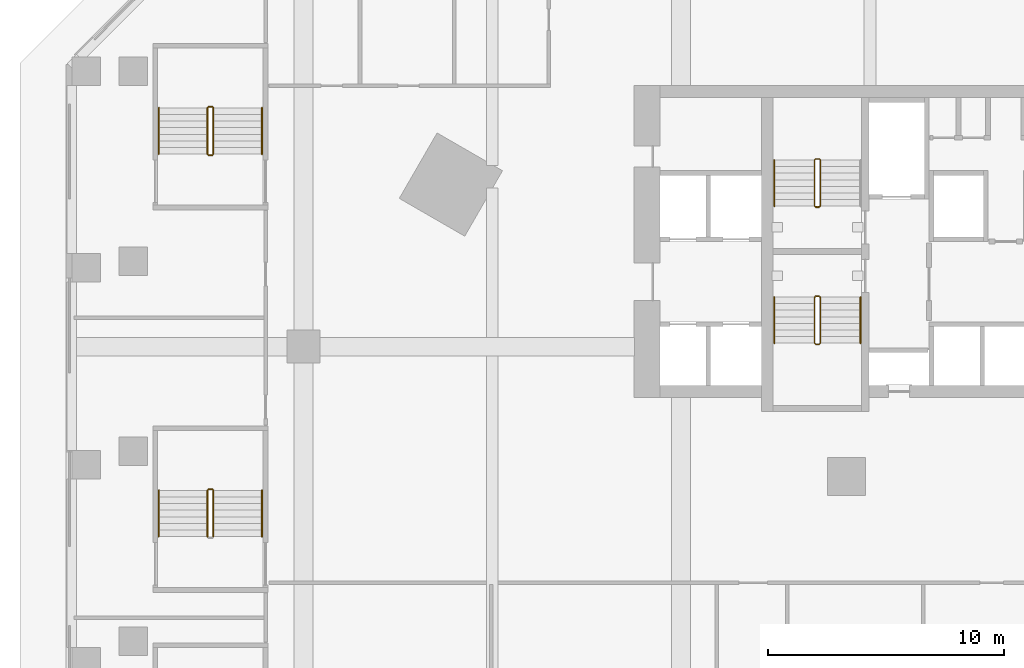
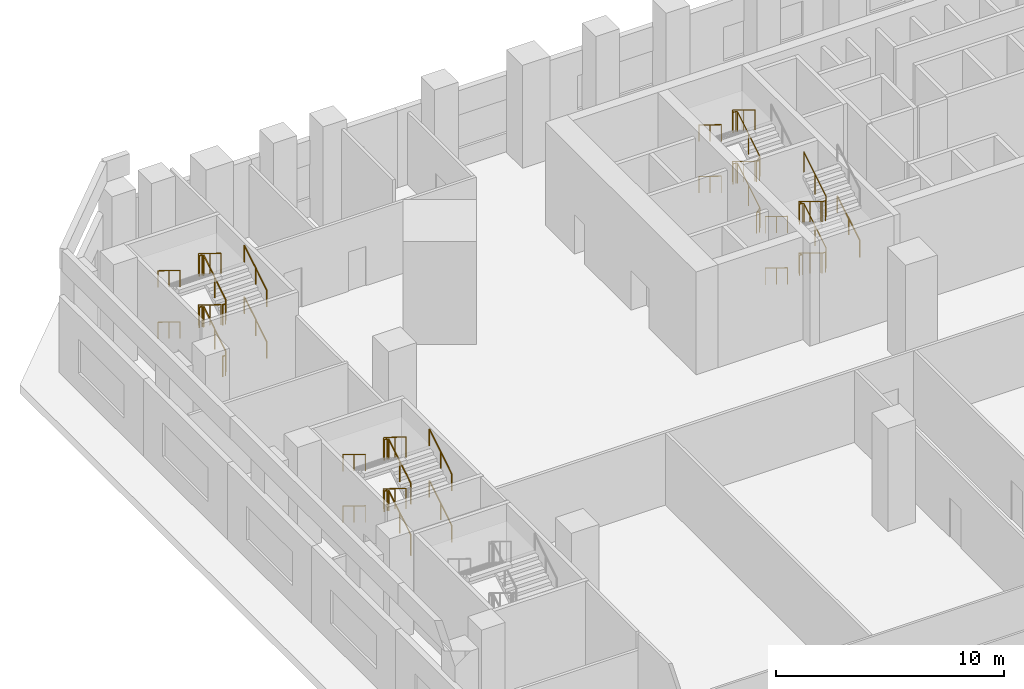
# One storey, part 19 of 22: 29 railings.
"""IFC4 building model written with IfcOpenShell, lengths in metres."""

import ifcopenshell
import ifcopenshell.guid

model = None  # the IFC model being written
_history = None  # IfcOwnerHistory: only IFC2X3 demands one
_inside = {}  # id of a spatial element -> (the spatial element, [elements in it])
_under = {}  # id of a project, library or spatial element -> (it, [spatial elements below it])
_declared = {}  # id of a project -> (the project, [libraries it declares])
_typed = {}  # id of a type object -> (the type object, [elements of that type])
_made_of = {}  # id of a material, layer set ... -> (it, [elements and type objects made of it])


def new_model(schema):
    """Start an empty IFC model of exactly this schema.

    Asked for "IFC4X3", IfcOpenShell would pick the latest addendum, in which some entities
    have other attributes; the version numbers below select the first issue.
    IFC2X3 requires an IfcOwnerHistory on every rooted entity: one is made here for all.
    """
    global model, _history
    if schema == "IFC4X3":
        model = ifcopenshell.file(schema_version=(4, 3, 0, 0))
    else:
        model = ifcopenshell.file(schema=schema)
    _inside.clear()
    _under.clear()
    _declared.clear()
    _typed.clear()
    _made_of.clear()
    _history = None
    if model.schema == "IFC2X3":
        org = make("IfcOrganization", Name="unknown")
        user = make(
            "IfcPersonAndOrganization",
            ThePerson=make("IfcPerson", FamilyName="unknown"),
            TheOrganization=org,
        )
        app = make(
            "IfcApplication",
            ApplicationDeveloper=org,
            Version="unknown",
            ApplicationFullName="unknown",
            ApplicationIdentifier="unknown",
        )
        _history = make(
            "IfcOwnerHistory",
            OwningUser=user,
            OwningApplication=app,
            ChangeAction="ADDED",
            CreationDate=0,
        )
    return model


def make(cls, **values):
    """One entity of the class cls with the attributes given. An attribute that is None is left unset."""
    return model.create_entity(
        cls, **{name: value for name, value in values.items() if value is not None}
    )


def rooted(cls, **values):
    """An entity with a GlobalId (a new one), such as an element, a storey or a relation."""
    return make(cls, GlobalId=ifcopenshell.guid.new(), OwnerHistory=_history, **values)


def si_unit(unit_type, name, prefix=None):
    """IfcSIUnit, for example si_unit("LENGTHUNIT", "METRE", prefix="MILLI")."""
    return make("IfcSIUnit", UnitType=unit_type, Prefix=prefix, Name=name)


def assignment(units):
    """IfcUnitAssignment: the units of a project."""
    return None if units is None else make("IfcUnitAssignment", Units=units)


def point(xyz):
    """IfcCartesianPoint."""
    return None if xyz is None else make("IfcCartesianPoint", Coordinates=xyz)


def direction(xyz):
    """IfcDirection."""
    return None if xyz is None else make("IfcDirection", DirectionRatios=xyz)


def frame(location, z_axis=None, x_axis=None):
    """IfcAxis2Placement3D, a coordinate frame: its origin and axes. An axis left out is left unset."""
    return make(
        "IfcAxis2Placement3D",
        Location=point(location),
        Axis=direction(z_axis),
        RefDirection=direction(x_axis),
    )


def frame_2d(location, x_axis=None):
    """IfcAxis2Placement2D, a coordinate frame in the plane: its origin and x axis."""
    return make(
        "IfcAxis2Placement2D", Location=point(location), RefDirection=direction(x_axis)
    )


def origin():
    """The frame at (0, 0, 0) with its axes left unset."""
    return frame((0.0, 0.0, 0.0))


def origin_2d():
    """The frame at (0, 0) in the plane with its x axis left unset."""
    return frame_2d((0.0, 0.0))


def place(relative_to, where):
    """IfcLocalPlacement: puts the frame where relative to a parent placement (None: the world)."""
    return make(
        "IfcLocalPlacement", PlacementRelTo=relative_to, RelativePlacement=where
    )


def context(
    kind, dimensions, precision=None, world=None, true_north=None, identifier=None
):
    """IfcGeometricRepresentationContext, for example the 3D "Model" context."""
    return make(
        "IfcGeometricRepresentationContext",
        ContextIdentifier=identifier,
        ContextType=kind,
        CoordinateSpaceDimension=dimensions,
        Precision=precision,
        WorldCoordinateSystem=world,
        TrueNorth=true_north,
    )


def subcontext(parent, identifier, kind, view, scale=None):
    """IfcGeometricRepresentationSubContext, for example "Body" below "Model"."""
    return make(
        "IfcGeometricRepresentationSubContext",
        ContextIdentifier=identifier,
        ContextType=kind,
        ParentContext=parent,
        TargetScale=scale,
        TargetView=view,
    )


def project(units=None, contexts=None):
    """IfcProject with its units and contexts."""
    return rooted(
        "IfcProject",
        Name="project",
        RepresentationContexts=contexts,
        UnitsInContext=assignment(units),
    )


def spatial(cls, under=None, at=None, **own):
    """A site, building, storey or space (cls), placed at a placement, below another one or the project."""
    s = rooted(cls, ObjectPlacement=at, **own)
    if under is not None:
        _under.setdefault(under.id(), (under, []))[1].append(s)
    return s


def profile(cls, at=None, kind="AREA", **sizes):
    """A parametric profile (cls). Its sizes go by their IFC names, for example OverallWidth=200.0."""
    return make(cls, ProfileType=kind, Position=at, **sizes)


def circle(**sizes):
    """IfcCircleProfileDef."""
    return profile("IfcCircleProfileDef", **sizes)


def extrude(swept, where, along, depth):
    """IfcExtrudedAreaSolid: the profile swept, set in the frame where, extruded along a direction by depth."""
    return make(
        "IfcExtrudedAreaSolid",
        SweptArea=swept,
        Position=where,
        ExtrudedDirection=direction(along),
        Depth=depth,
    )


def shape(context_of_items, identifier, shape_type, items):
    """IfcShapeRepresentation: the items that make up one representation, for example the "Body"."""
    return make(
        "IfcShapeRepresentation",
        ContextOfItems=context_of_items,
        RepresentationIdentifier=identifier,
        RepresentationType=shape_type,
        Items=items,
    )


def material(Name=None, Category=None):
    """IfcMaterial."""
    return make("IfcMaterial", Name=Name, Category=Category)


def made_of(thing, what):
    """Note that an element or type object is made of a material, layer set ...; save() writes the relation."""
    if what is not None:
        _made_of.setdefault(what.id(), (what, []))[1].append(thing)
    return thing


def type_object(cls, material=None, **own):
    """A type object (cls), such as IfcWallType, which elements share."""
    return made_of(rooted(cls, **own), material)


def element(
    cls,
    number,
    at=None,
    inside=None,
    cuts=None,
    type_object=None,
    material=None,
    context=None,
    identifier="Body",
    shape_type=None,
    held_by="IfcProductDefinitionShape",
    body=None,
    shapes=None,
    **own,
):
    """One element of the class cls, such as IfcWall. Its Tag is "e" and its number.

    at: its placement. inside: the storey or other place that contains it. cuts: it is an
    opening in that element (IfcRelVoidsElement). A single representation is given by context,
    identifier, shape_type and body (its items); several are given by shapes. held_by: the class
    of the entity that holds the representations. save() writes the other relations.
    """
    e = rooted(cls, Tag="e%d" % number, ObjectPlacement=at, **own)
    if body is not None:
        shapes = [shape(context, identifier, shape_type, body)]
    if shapes is not None:
        e.Representation = make(held_by, Representations=shapes)
    if inside is not None:
        _inside.setdefault(inside.id(), (inside, []))[1].append(e)
    if cuts is not None:
        rooted(
            "IfcRelVoidsElement", RelatingBuildingElement=cuts, RelatedOpeningElement=e
        )
    if type_object is not None:
        _typed.setdefault(type_object.id(), (type_object, []))[1].append(e)
    return made_of(e, material)


def aggregate(whole, parts):
    """IfcRelAggregates: a whole, such as a stair, and the parts it consists of."""
    return rooted("IfcRelAggregates", RelatingObject=whole, RelatedObjects=parts)


def save(model, path):
    """Write the relations noted so far, then the file.

    IfcRelAggregates (storeys below a building ...), IfcRelContainedInSpatialStructure (elements
    in a storey), IfcRelDefinesByType, IfcRelAssociatesMaterial and IfcRelDeclares: one each for
    every whole, place, type object, material and project.
    """
    for whole, parts in _under.values():
        aggregate(whole, parts)
    for where, things in _inside.values():
        rooted(
            "IfcRelContainedInSpatialStructure",
            RelatedElements=things,
            RelatingStructure=where,
        )
    for kind, things in _typed.values():
        rooted("IfcRelDefinesByType", RelatedObjects=things, RelatingType=kind)
    for what, things in _made_of.values():
        rooted("IfcRelAssociatesMaterial", RelatedObjects=things, RelatingMaterial=what)
    for by, libraries in _declared.values():
        rooted("IfcRelDeclares", RelatingContext=by, RelatedDefinitions=libraries)
    model.write(path)


model = new_model("IFC4")

# Units and contexts
model_context = context("Model", 3, precision=1e-05, world=origin(), true_north=direction((0.0, 1.0)))
body_context = subcontext(model_context, "Body", "Model", "MODEL_VIEW")
ifc_project = project(units=[si_unit("LENGTHUNIT", "METRE"), si_unit("AREAUNIT", "SQUARE_METRE"), si_unit("VOLUMEUNIT", "CUBIC_METRE"), si_unit("PLANEANGLEUNIT", "RADIAN"), si_unit("MASSUNIT", "GRAM", prefix="KILO")], contexts=[model_context])

# Site, building, storey
site_placement = place(None, origin())
site = spatial("IfcSite", under=ifc_project, at=site_placement, CompositionType="ELEMENT")
building_placement = place(site_placement, origin())
building = spatial("IfcBuilding", under=site, at=building_placement, Name="Calabash Gate Tower", CompositionType="ELEMENT")
storey_placement = place(building_placement, frame((0.0, 0.0, 34.5)))
storey = spatial("IfcBuildingStorey", under=building, at=storey_placement, Name="L04", CompositionType="ELEMENT", Elevation=34.5)

# Railings
ifc_material_1 = material(Name="Black powder-coated steel balusters", Category="steel")
railing_type_1 = type_object("IfcRailingType", Name="Stair guard RL1100", PredefinedType="GUARDRAIL", material=ifc_material_1)
railing_1_placement = place(storey_placement, frame((-10.14990234375, 13.902587890625, 0.0)))
element("IfcRailing", 1, at=railing_1_placement, inside=storey, type_object=railing_type_1, Name="L04 ST1 stair guard 1", PredefinedType="GUARDRAIL", context=body_context, shape_type="SweptSolid", body=[
    extrude(circle(Radius=0.02392578125, at=origin_2d()), frame((0.0, 0.0, 1.076171875), z_axis=(-1.0, 0.0, 0.0), x_axis=(0.0, -1.0, 0.0)), (0.0, 0.0, 1.0), 0.150146484375),
    extrude(circle(Radius=0.02392578125, at=origin_2d()), frame((-0.150146484375, 0.0, 1.076171875), z_axis=(0.745037588186, 0.186486819998, 0.640423030626), x_axis=(-0.242814311512, 0.970072785993, 0.0)), (0.0, 0.0, 1.0), 0.268310546875),
    extrude(circle(Radius=0.02392578125, at=origin_2d()), frame((0.0498046875, 0.050048828125, 1.248046875), z_axis=(0.0, 0.851395084437, 0.52452493763), x_axis=(-1.0, 0.0, 0.0)), (0.0, 0.0, 1.0), 2.293701171875),
    extrude(circle(Radius=0.02392578125, at=origin_2d()), frame((0.0498046875, 2.0029296875, 2.451171875), z_axis=(-0.705375805398, 0.708833529934, 0.0), x_axis=(-0.708833529934, -0.705375805398, 0.0)), (0.0, 0.0, 1.0), 0.070556640625),
    extrude(circle(Radius=0.02392578125, at=origin_2d()), frame((0.0, 2.052978515625, 2.451171875), z_axis=(-1.0, 0.0, 0.0), x_axis=(0.0, -1.0, 0.0)), (0.0, 0.0, 1.0), 0.150146484375),
    extrude(circle(Radius=0.02392578125, at=origin_2d()), frame((-0.150146484375, 2.052978515625, 2.451171875), z_axis=(-0.269255725606, -0.269255725606, 0.92466356501), x_axis=(0.707106781187, -0.707106781187, 0.0)), (0.0, 0.0, 1.0), 0.185791015625),
    extrude(circle(Radius=0.02392578125, at=origin_2d()), frame((-0.2001953125, 2.0029296875, 2.623046875), z_axis=(0.0, -0.851395084437, 0.52452493763), x_axis=(1.0, 0.0, 0.0)), (0.0, 0.0, 1.0), 2.293701171875),
    extrude(circle(Radius=0.02392578125, at=origin_2d()), frame((-0.2001953125, 0.050048828125, 3.826171875), z_axis=(0.970142500145, -0.242535625036, 0.0), x_axis=(0.242535625036, 0.970142500145, 0.0)), (0.0, 0.0, 1.0), 0.206298828125),
    extrude(circle(Radius=0.02392578125, at=origin_2d()), frame((0.0, 0.0, 3.826171875), z_axis=(-1.0, 0.0, 0.0), x_axis=(0.0, -1.0, 0.0)), (0.0, 0.0, 1.0), 0.150146484375),
    extrude(circle(Radius=0.02392578125, at=origin_2d()), frame((-0.150146484375, 0.0, 3.826171875), z_axis=(0.745037588186, 0.186486819998, 0.640423030626), x_axis=(-0.242814311512, 0.970072785993, 0.0)), (0.0, 0.0, 1.0), 0.268310546875),
    extrude(circle(Radius=0.02392578125, at=origin_2d()), frame((0.0498046875, 0.050048828125, 3.998046875), z_axis=(0.0, 0.851395084437, 0.52452493763), x_axis=(-1.0, 0.0, 0.0)), (0.0, 0.0, 1.0), 2.293701171875),
    extrude(circle(Radius=0.02392578125, at=origin_2d()), frame((0.0498046875, 2.0029296875, 5.201171875), z_axis=(-0.705375805398, 0.708833529934, 0.0), x_axis=(-0.708833529934, -0.705375805398, 0.0)), (0.0, 0.0, 1.0), 0.070556640625),
    extrude(circle(Radius=0.02392578125, at=origin_2d()), frame((0.0, 2.052978515625, 5.201171875), z_axis=(-1.0, 0.0, 0.0), x_axis=(0.0, -1.0, 0.0)), (0.0, 0.0, 1.0), 0.150146484375),
    extrude(circle(Radius=0.02392578125, at=origin_2d()), frame((-0.150146484375, 2.052978515625, 5.201171875), z_axis=(-0.269255725606, -0.269255725606, 0.92466356501), x_axis=(0.707106781187, -0.707106781187, 0.0)), (0.0, 0.0, 1.0), 0.185791015625),
    extrude(circle(Radius=0.02392578125, at=origin_2d()), frame((-0.2001953125, 2.0029296875, 5.373046875), z_axis=(0.0, -0.851395084437, 0.52452493763), x_axis=(1.0, 0.0, 0.0)), (0.0, 0.0, 1.0), 2.293701171875),
    extrude(circle(Radius=0.02099609375, at=origin_2d()), origin(), (0.0, 0.0, 1.0), 1.052001953125),
    extrude(circle(Radius=0.02099609375, at=origin_2d()), frame((-0.150146484375, 0.0, 0.0)), (0.0, 0.0, 1.0), 1.052001953125),
    extrude(circle(Radius=0.02099609375, at=origin_2d()), frame((0.0498046875, 0.050048828125, 0.171875)), (0.0, 0.0, 1.0), 1.052001953125),
    extrude(circle(Radius=0.02099609375, at=origin_2d()), frame((0.0498046875, 1.0263671875, 0.7734375)), (0.0, 0.0, 1.0), 1.052001953125),
    extrude(circle(Radius=0.02099609375, at=origin_2d()), frame((0.0498046875, 2.0029296875, 1.375)), (0.0, 0.0, 1.0), 1.052001953125),
    extrude(circle(Radius=0.02099609375, at=origin_2d()), frame((0.0, 2.052978515625, 1.375)), (0.0, 0.0, 1.0), 1.052001953125),
    extrude(circle(Radius=0.02099609375, at=origin_2d()), frame((-0.150146484375, 2.052978515625, 1.375)), (0.0, 0.0, 1.0), 1.052001953125),
    extrude(circle(Radius=0.02099609375, at=origin_2d()), frame((-0.2001953125, 2.0029296875, 1.546875)), (0.0, 0.0, 1.0), 1.052001953125),
    extrude(circle(Radius=0.02099609375, at=origin_2d()), frame((-0.2001953125, 1.0263671875, 2.1484375)), (0.0, 0.0, 1.0), 1.052001953125),
    extrude(circle(Radius=0.02099609375, at=origin_2d()), frame((-0.2001953125, 0.050048828125, 2.75)), (0.0, 0.0, 1.0), 1.052001953125),
    extrude(circle(Radius=0.02099609375, at=origin_2d()), frame((0.0, 0.0, 2.75)), (0.0, 0.0, 1.0), 1.052001953125),
    extrude(circle(Radius=0.02099609375, at=origin_2d()), frame((-0.150146484375, 0.0, 2.75)), (0.0, 0.0, 1.0), 1.052001953125),
    extrude(circle(Radius=0.02099609375, at=origin_2d()), frame((0.0498046875, 0.050048828125, 2.921875)), (0.0, 0.0, 1.0), 1.052001953125),
    extrude(circle(Radius=0.02099609375, at=origin_2d()), frame((0.0498046875, 1.0263671875, 3.5234375)), (0.0, 0.0, 1.0), 1.052001953125),
    extrude(circle(Radius=0.02099609375, at=origin_2d()), frame((0.0498046875, 2.0029296875, 4.125)), (0.0, 0.0, 1.0), 1.052001953125),
    extrude(circle(Radius=0.02099609375, at=origin_2d()), frame((0.0, 2.052978515625, 4.125)), (0.0, 0.0, 1.0), 1.052001953125),
    extrude(circle(Radius=0.02099609375, at=origin_2d()), frame((-0.150146484375, 2.052978515625, 4.125)), (0.0, 0.0, 1.0), 1.052001953125),
    extrude(circle(Radius=0.02099609375, at=origin_2d()), frame((-0.2001953125, 2.0029296875, 4.296875)), (0.0, 0.0, 1.0), 1.052001953125),
    extrude(circle(Radius=0.02099609375, at=origin_2d()), frame((-0.2001953125, 1.0263671875, 4.8984375)), (0.0, 0.0, 1.0), 1.052001953125),
    extrude(circle(Radius=0.02099609375, at=origin_2d()), frame((-0.2001953125, 0.050048828125, 5.5)), (0.0, 0.0, 1.0), 1.052001953125),
])
railing_2_placement = place(storey_placement, frame((-10.300048828125, 10.152587890625, 0.0)))
element("IfcRailing", 2, at=railing_2_placement, inside=storey, type_object=railing_type_1, Name="L04 ST2 stair guard 1", PredefinedType="GUARDRAIL", context=body_context, shape_type="SweptSolid", body=[
    extrude(circle(Radius=0.02392578125, at=origin_2d()), frame((0.0, 0.0, 1.076171875), z_axis=(1.0, 0.0, 0.0), x_axis=(0.0, 1.0, 0.0)), (0.0, 0.0, 1.0), 0.150146484375),
    extrude(circle(Radius=0.02392578125, at=origin_2d()), frame((0.150146484375, 0.0, 1.076171875), z_axis=(-0.745441916174, -0.186360479043, 0.6399891573), x_axis=(0.242535625036, -0.970142500145, 0.0)), (0.0, 0.0, 1.0), 0.2685546875),
    extrude(circle(Radius=0.02392578125, at=origin_2d()), frame((-0.050048828125, -0.050048828125, 1.248046875), z_axis=(0.0, -0.851395084437, 0.52452493763), x_axis=(1.0, 0.0, 0.0)), (0.0, 0.0, 1.0), 2.293701171875),
    extrude(circle(Radius=0.02392578125, at=origin_2d()), frame((-0.050048828125, -2.0029296875, 2.451171875), z_axis=(0.707106781187, -0.707106781187, 0.0), x_axis=(0.707106781187, 0.707106781187, 0.0)), (0.0, 0.0, 1.0), 0.07080078125),
    extrude(circle(Radius=0.02392578125, at=origin_2d()), frame((0.0, -2.052978515625, 2.451171875), z_axis=(1.0, 0.0, 0.0), x_axis=(0.0, 1.0, 0.0)), (0.0, 0.0, 1.0), 0.150146484375),
    extrude(circle(Radius=0.02392578125, at=origin_2d()), frame((0.150146484375, -2.052978515625, 2.451171875), z_axis=(0.268036860282, 0.26935076646, 0.924989949209), x_axis=(-0.708833529934, 0.705375805398, 0.0)), (0.0, 0.0, 1.0), 0.185791015625),
    extrude(circle(Radius=0.02392578125, at=origin_2d()), frame((0.199951171875, -2.0029296875, 2.623046875), z_axis=(0.0, 0.851395084437, 0.52452493763), x_axis=(-1.0, 0.0, 0.0)), (0.0, 0.0, 1.0), 2.293701171875),
    extrude(circle(Radius=0.02392578125, at=origin_2d()), frame((0.199951171875, -0.050048828125, 3.826171875), z_axis=(-0.970072785993, 0.242814311512, 0.0), x_axis=(-0.242814311512, -0.970072785993, 0.0)), (0.0, 0.0, 1.0), 0.2060546875),
    extrude(circle(Radius=0.02392578125, at=origin_2d()), frame((0.0, 0.0, 3.826171875), z_axis=(1.0, 0.0, 0.0), x_axis=(0.0, 1.0, 0.0)), (0.0, 0.0, 1.0), 0.150146484375),
    extrude(circle(Radius=0.02392578125, at=origin_2d()), frame((0.150146484375, 0.0, 3.826171875), z_axis=(-0.745441916174, -0.186360479043, 0.6399891573), x_axis=(0.242535625036, -0.970142500145, 0.0)), (0.0, 0.0, 1.0), 0.2685546875),
    extrude(circle(Radius=0.02392578125, at=origin_2d()), frame((-0.050048828125, -0.050048828125, 3.998046875), z_axis=(0.0, -0.851395084437, 0.52452493763), x_axis=(1.0, 0.0, 0.0)), (0.0, 0.0, 1.0), 2.293701171875),
    extrude(circle(Radius=0.02392578125, at=origin_2d()), frame((-0.050048828125, -2.0029296875, 5.201171875), z_axis=(0.707106781187, -0.707106781187, 0.0), x_axis=(0.707106781187, 0.707106781187, 0.0)), (0.0, 0.0, 1.0), 0.07080078125),
    extrude(circle(Radius=0.02392578125, at=origin_2d()), frame((0.0, -2.052978515625, 5.201171875), z_axis=(1.0, 0.0, 0.0), x_axis=(0.0, 1.0, 0.0)), (0.0, 0.0, 1.0), 0.150146484375),
    extrude(circle(Radius=0.02392578125, at=origin_2d()), frame((0.150146484375, -2.052978515625, 5.201171875), z_axis=(0.268036860282, 0.26935076646, 0.924989949209), x_axis=(-0.708833529934, 0.705375805398, 0.0)), (0.0, 0.0, 1.0), 0.185791015625),
    extrude(circle(Radius=0.02392578125, at=origin_2d()), frame((0.199951171875, -2.0029296875, 5.373046875), z_axis=(0.0, 0.851395084437, 0.52452493763), x_axis=(-1.0, 0.0, 0.0)), (0.0, 0.0, 1.0), 2.293701171875),
    extrude(circle(Radius=0.02099609375, at=origin_2d()), origin(), (0.0, 0.0, 1.0), 1.052001953125),
    extrude(circle(Radius=0.02099609375, at=origin_2d()), frame((0.150146484375, 0.0, 0.0)), (0.0, 0.0, 1.0), 1.052001953125),
    extrude(circle(Radius=0.02099609375, at=origin_2d()), frame((-0.050048828125, -0.050048828125, 0.171875)), (0.0, 0.0, 1.0), 1.052001953125),
    extrude(circle(Radius=0.02099609375, at=origin_2d()), frame((-0.050048828125, -1.0263671875, 0.7734375)), (0.0, 0.0, 1.0), 1.052001953125),
    extrude(circle(Radius=0.02099609375, at=origin_2d()), frame((-0.050048828125, -2.0029296875, 1.375)), (0.0, 0.0, 1.0), 1.052001953125),
    extrude(circle(Radius=0.02099609375, at=origin_2d()), frame((0.0, -2.052978515625, 1.375)), (0.0, 0.0, 1.0), 1.052001953125),
    extrude(circle(Radius=0.02099609375, at=origin_2d()), frame((0.150146484375, -2.052978515625, 1.375)), (0.0, 0.0, 1.0), 1.052001953125),
    extrude(circle(Radius=0.02099609375, at=origin_2d()), frame((0.199951171875, -2.0029296875, 1.546875)), (0.0, 0.0, 1.0), 1.052001953125),
    extrude(circle(Radius=0.02099609375, at=origin_2d()), frame((0.199951171875, -1.0263671875, 2.1484375)), (0.0, 0.0, 1.0), 1.052001953125),
    extrude(circle(Radius=0.02099609375, at=origin_2d()), frame((0.199951171875, -0.050048828125, 2.75)), (0.0, 0.0, 1.0), 1.052001953125),
    extrude(circle(Radius=0.02099609375, at=origin_2d()), frame((0.0, 0.0, 2.75)), (0.0, 0.0, 1.0), 1.052001953125),
    extrude(circle(Radius=0.02099609375, at=origin_2d()), frame((0.150146484375, 0.0, 2.75)), (0.0, 0.0, 1.0), 1.052001953125),
    extrude(circle(Radius=0.02099609375, at=origin_2d()), frame((-0.050048828125, -0.050048828125, 2.921875)), (0.0, 0.0, 1.0), 1.052001953125),
    extrude(circle(Radius=0.02099609375, at=origin_2d()), frame((-0.050048828125, -1.0263671875, 3.5234375)), (0.0, 0.0, 1.0), 1.052001953125),
    extrude(circle(Radius=0.02099609375, at=origin_2d()), frame((-0.050048828125, -2.0029296875, 4.125)), (0.0, 0.0, 1.0), 1.052001953125),
    extrude(circle(Radius=0.02099609375, at=origin_2d()), frame((0.0, -2.052978515625, 4.125)), (0.0, 0.0, 1.0), 1.052001953125),
    extrude(circle(Radius=0.02099609375, at=origin_2d()), frame((0.150146484375, -2.052978515625, 4.125)), (0.0, 0.0, 1.0), 1.052001953125),
    extrude(circle(Radius=0.02099609375, at=origin_2d()), frame((0.199951171875, -2.0029296875, 4.296875)), (0.0, 0.0, 1.0), 1.052001953125),
    extrude(circle(Radius=0.02099609375, at=origin_2d()), frame((0.199951171875, -1.0263671875, 4.8984375)), (0.0, 0.0, 1.0), 1.052001953125),
    extrude(circle(Radius=0.02099609375, at=origin_2d()), frame((0.199951171875, -0.050048828125, 5.5)), (0.0, 0.0, 1.0), 1.052001953125),
])
railing_3_placement = place(storey_placement, frame((-35.81005859375, -0.0400390625, 0.171875)))
element("IfcRailing", 3, at=railing_3_placement, inside=storey, type_object=railing_type_1, Name="L04 PS4 stair guard 1", PredefinedType="GUARDRAIL", context=body_context, shape_type="SweptSolid", body=[
    extrude(circle(Radius=0.02392578125, at=origin_2d()), frame((0.0, 0.0, 1.076171875), z_axis=(0.0, 0.851424364277, 0.524477408394), x_axis=(-1.0, 0.0, 0.0)), (0.0, 0.0, 1.0), 2.2939453125),
    extrude(circle(Radius=0.02099609375, at=origin_2d()), origin(), (0.0, 0.0, 1.0), 1.052001953125),
    extrude(circle(Radius=0.02099609375, at=origin_2d()), frame((0.0, 0.9765625, 0.6015625)), (0.0, 0.0, 1.0), 1.052001953125),
    extrude(circle(Radius=0.02099609375, at=origin_2d()), frame((0.0, 1.953125, 1.203125)), (0.0, 0.0, 1.0), 1.052001953125),
])
railing_4_placement = place(storey_placement, frame((-35.860107421875, 1.962890625, 1.375)))
element("IfcRailing", 4, at=railing_4_placement, inside=storey, type_object=railing_type_1, Name="L04 PS4 stair guard 2", PredefinedType="GUARDRAIL", context=body_context, shape_type="SweptSolid", body=[
    extrude(circle(Radius=0.02392578125, at=origin_2d()), frame((0.0, 0.0, 1.076171875), z_axis=(-1.0, 0.0, 0.0), x_axis=(0.0, -1.0, 0.0)), (0.0, 0.0, 1.0), 0.14990234375),
    extrude(circle(Radius=0.02099609375, at=origin_2d()), origin(), (0.0, 0.0, 1.0), 1.052001953125),
    extrude(circle(Radius=0.02099609375, at=origin_2d()), frame((-0.14990234375, 0.0, 0.0)), (0.0, 0.0, 1.0), 1.052001953125),
])
railing_5_placement = place(storey_placement, frame((-36.06005859375, 1.9130859375, 1.546875)))
element("IfcRailing", 5, at=railing_5_placement, inside=storey, type_object=railing_type_1, Name="L04 PS4 stair guard 3", PredefinedType="GUARDRAIL", context=body_context, shape_type="SweptSolid", body=[
    extrude(circle(Radius=0.02392578125, at=origin_2d()), frame((0.0, 0.0, 1.076171875), z_axis=(0.0, -0.851424364277, 0.524477408394), x_axis=(1.0, 0.0, 0.0)), (0.0, 0.0, 1.0), 2.2939453125),
    extrude(circle(Radius=0.02099609375, at=origin_2d()), origin(), (0.0, 0.0, 1.0), 1.052001953125),
    extrude(circle(Radius=0.02099609375, at=origin_2d()), frame((0.0, -0.9765625, 0.6015625)), (0.0, 0.0, 1.0), 1.052001953125),
    extrude(circle(Radius=0.02099609375, at=origin_2d()), frame((0.0, -1.953125, 1.203125)), (0.0, 0.0, 1.0), 1.052001953125),
])
railing_6_placement = place(storey_placement, frame((-35.81005859375, -0.0400390625, 2.921875)))
element("IfcRailing", 6, at=railing_6_placement, inside=storey, type_object=railing_type_1, Name="L04 PS4 stair guard 5", PredefinedType="GUARDRAIL", context=body_context, shape_type="SweptSolid", body=[
    extrude(circle(Radius=0.02392578125, at=origin_2d()), frame((0.0, 0.0, 1.076171875), z_axis=(0.0, 0.851424364277, 0.524477408394), x_axis=(-1.0, 0.0, 0.0)), (0.0, 0.0, 1.0), 2.2939453125),
    extrude(circle(Radius=0.02099609375, at=origin_2d()), origin(), (0.0, 0.0, 1.0), 1.052001953125),
    extrude(circle(Radius=0.02099609375, at=origin_2d()), frame((0.0, 0.9765625, 0.6015625)), (0.0, 0.0, 1.0), 1.052001953125),
    extrude(circle(Radius=0.02099609375, at=origin_2d()), frame((0.0, 1.953125, 1.203125)), (0.0, 0.0, 1.0), 1.052001953125),
])
railing_7_placement = place(storey_placement, frame((-35.860107421875, 1.962890625, 4.125)))
element("IfcRailing", 7, at=railing_7_placement, inside=storey, type_object=railing_type_1, Name="L04 PS4 stair guard 6", PredefinedType="GUARDRAIL", context=body_context, shape_type="SweptSolid", body=[
    extrude(circle(Radius=0.02392578125, at=origin_2d()), frame((0.0, 0.0, 1.076171875), z_axis=(-1.0, 0.0, 0.0), x_axis=(0.0, -1.0, 0.0)), (0.0, 0.0, 1.0), 0.14990234375),
    extrude(circle(Radius=0.02099609375, at=origin_2d()), origin(), (0.0, 0.0, 1.0), 1.052001953125),
    extrude(circle(Radius=0.02099609375, at=origin_2d()), frame((-0.14990234375, 0.0, 0.0)), (0.0, 0.0, 1.0), 1.052001953125),
])
railing_8_placement = place(storey_placement, frame((-36.06005859375, 1.9130859375, 4.296875)))
element("IfcRailing", 8, at=railing_8_placement, inside=storey, type_object=railing_type_1, Name="L04 PS4 stair guard 7", PredefinedType="GUARDRAIL", context=body_context, shape_type="SweptSolid", body=[
    extrude(circle(Radius=0.02392578125, at=origin_2d()), frame((0.0, 0.0, 1.076171875), z_axis=(0.0, -0.851424364277, 0.524477408394), x_axis=(1.0, 0.0, 0.0)), (0.0, 0.0, 1.0), 2.2939453125),
    extrude(circle(Radius=0.02099609375, at=origin_2d()), origin(), (0.0, 0.0, 1.0), 1.052001953125),
    extrude(circle(Radius=0.02099609375, at=origin_2d()), frame((0.0, -0.9765625, 0.6015625)), (0.0, 0.0, 1.0), 1.052001953125),
    extrude(circle(Radius=0.02099609375, at=origin_2d()), frame((0.0, -1.953125, 1.203125)), (0.0, 0.0, 1.0), 1.052001953125),
])
railing_9_placement = place(storey_placement, frame((-35.81005859375, 16.159912109375, 0.171875)))
element("IfcRailing", 9, at=railing_9_placement, inside=storey, type_object=railing_type_1, Name="L04 PS5 stair guard 1", PredefinedType="GUARDRAIL", context=body_context, shape_type="SweptSolid", body=[
    extrude(circle(Radius=0.02392578125, at=origin_2d()), frame((0.0, 0.0, 1.076171875), z_axis=(0.0, 0.851424364277, 0.524477408394), x_axis=(-1.0, 0.0, 0.0)), (0.0, 0.0, 1.0), 2.2939453125),
    extrude(circle(Radius=0.02099609375, at=origin_2d()), origin(), (0.0, 0.0, 1.0), 1.052001953125),
    extrude(circle(Radius=0.02099609375, at=origin_2d()), frame((0.0, 0.9765625, 0.6015625)), (0.0, 0.0, 1.0), 1.052001953125),
    extrude(circle(Radius=0.02099609375, at=origin_2d()), frame((0.0, 1.953125, 1.203125)), (0.0, 0.0, 1.0), 1.052001953125),
])
railing_10_placement = place(storey_placement, frame((-35.860107421875, 18.1630859375, 1.375)))
element("IfcRailing", 10, at=railing_10_placement, inside=storey, type_object=railing_type_1, Name="L04 PS5 stair guard 2", PredefinedType="GUARDRAIL", context=body_context, shape_type="SweptSolid", body=[
    extrude(circle(Radius=0.02392578125, at=origin_2d()), frame((0.0, 0.0, 1.076171875), z_axis=(-1.0, 0.0, 0.0), x_axis=(0.0, -1.0, 0.0)), (0.0, 0.0, 1.0), 0.14990234375),
    extrude(circle(Radius=0.02099609375, at=origin_2d()), origin(), (0.0, 0.0, 1.0), 1.052001953125),
    extrude(circle(Radius=0.02099609375, at=origin_2d()), frame((-0.14990234375, 0.0, 0.0)), (0.0, 0.0, 1.0), 1.052001953125),
])
railing_11_placement = place(storey_placement, frame((-36.06005859375, 18.113037109375, 1.546875)))
element("IfcRailing", 11, at=railing_11_placement, inside=storey, type_object=railing_type_1, Name="L04 PS5 stair guard 3", PredefinedType="GUARDRAIL", context=body_context, shape_type="SweptSolid", body=[
    extrude(circle(Radius=0.02392578125, at=origin_2d()), frame((0.0, 0.0, 1.076171875), z_axis=(0.0, -0.851424364277, 0.524477408394), x_axis=(1.0, 0.0, 0.0)), (0.0, 0.0, 1.0), 2.2939453125),
    extrude(circle(Radius=0.02099609375, at=origin_2d()), origin(), (0.0, 0.0, 1.0), 1.052001953125),
    extrude(circle(Radius=0.02099609375, at=origin_2d()), frame((0.0, -0.9765625, 0.6015625)), (0.0, 0.0, 1.0), 1.052001953125),
    extrude(circle(Radius=0.02099609375, at=origin_2d()), frame((0.0, -1.953125, 1.203125)), (0.0, 0.0, 1.0), 1.052001953125),
])
railing_12_placement = place(storey_placement, frame((-35.860107421875, 16.110107421875, 2.75)))
element("IfcRailing", 12, at=railing_12_placement, inside=storey, type_object=railing_type_1, Name="L04 PS5 stair guard 4", PredefinedType="GUARDRAIL", context=body_context, shape_type="SweptSolid", body=[
    extrude(circle(Radius=0.02392578125, at=origin_2d()), frame((0.0, 0.0, 1.076171875), z_axis=(-1.0, 0.0, 0.0), x_axis=(0.0, -1.0, 0.0)), (0.0, 0.0, 1.0), 0.14990234375),
    extrude(circle(Radius=0.02099609375, at=origin_2d()), origin(), (0.0, 0.0, 1.0), 1.052001953125),
    extrude(circle(Radius=0.02099609375, at=origin_2d()), frame((-0.14990234375, 0.0, 0.0)), (0.0, 0.0, 1.0), 1.052001953125),
])
railing_13_placement = place(storey_placement, frame((-35.81005859375, 16.159912109375, 2.921875)))
element("IfcRailing", 13, at=railing_13_placement, inside=storey, type_object=railing_type_1, Name="L04 PS5 stair guard 5", PredefinedType="GUARDRAIL", context=body_context, shape_type="SweptSolid", body=[
    extrude(circle(Radius=0.02392578125, at=origin_2d()), frame((0.0, 0.0, 1.076171875), z_axis=(0.0, 0.851424364277, 0.524477408394), x_axis=(-1.0, 0.0, 0.0)), (0.0, 0.0, 1.0), 2.2939453125),
    extrude(circle(Radius=0.02099609375, at=origin_2d()), origin(), (0.0, 0.0, 1.0), 1.052001953125),
    extrude(circle(Radius=0.02099609375, at=origin_2d()), frame((0.0, 0.9765625, 0.6015625)), (0.0, 0.0, 1.0), 1.052001953125),
    extrude(circle(Radius=0.02099609375, at=origin_2d()), frame((0.0, 1.953125, 1.203125)), (0.0, 0.0, 1.0), 1.052001953125),
])
railing_14_placement = place(storey_placement, frame((-35.860107421875, 18.1630859375, 4.125)))
element("IfcRailing", 14, at=railing_14_placement, inside=storey, type_object=railing_type_1, Name="L04 PS5 stair guard 6", PredefinedType="GUARDRAIL", context=body_context, shape_type="SweptSolid", body=[
    extrude(circle(Radius=0.02392578125, at=origin_2d()), frame((0.0, 0.0, 1.076171875), z_axis=(-1.0, 0.0, 0.0), x_axis=(0.0, -1.0, 0.0)), (0.0, 0.0, 1.0), 0.14990234375),
    extrude(circle(Radius=0.02099609375, at=origin_2d()), origin(), (0.0, 0.0, 1.0), 1.052001953125),
    extrude(circle(Radius=0.02099609375, at=origin_2d()), frame((-0.14990234375, 0.0, 0.0)), (0.0, 0.0, 1.0), 1.052001953125),
])
railing_15_placement = place(storey_placement, frame((-36.06005859375, 18.113037109375, 4.296875)))
element("IfcRailing", 15, at=railing_15_placement, inside=storey, type_object=railing_type_1, Name="L04 PS5 stair guard 7", PredefinedType="GUARDRAIL", context=body_context, shape_type="SweptSolid", body=[
    extrude(circle(Radius=0.02392578125, at=origin_2d()), frame((0.0, 0.0, 1.076171875), z_axis=(0.0, -0.851424364277, 0.524477408394), x_axis=(1.0, 0.0, 0.0)), (0.0, 0.0, 1.0), 2.2939453125),
    extrude(circle(Radius=0.02099609375, at=origin_2d()), origin(), (0.0, 0.0, 1.0), 1.052001953125),
    extrude(circle(Radius=0.02099609375, at=origin_2d()), frame((0.0, -0.9765625, 0.6015625)), (0.0, 0.0, 1.0), 1.052001953125),
    extrude(circle(Radius=0.02099609375, at=origin_2d()), frame((0.0, -1.953125, 1.203125)), (0.0, 0.0, 1.0), 1.052001953125),
])
railing_16_placement = place(storey_placement, frame((-35.860107421875, 16.110107421875, 0.0)))
element("IfcRailing", 16, at=railing_16_placement, inside=storey, type_object=railing_type_1, Name="L04 PS5 stair guard 8", PredefinedType="GUARDRAIL", context=body_context, shape_type="SweptSolid", body=[
    extrude(circle(Radius=0.02392578125, at=origin_2d()), frame((0.0, 0.0, 1.076171875), z_axis=(-1.0, 0.0, 0.0), x_axis=(0.0, -1.0, 0.0)), (0.0, 0.0, 1.0), 0.14990234375),
    extrude(circle(Radius=0.02099609375, at=origin_2d()), origin(), (0.0, 0.0, 1.0), 1.052001953125),
    extrude(circle(Radius=0.02099609375, at=origin_2d()), frame((-0.14990234375, 0.0, 0.0)), (0.0, 0.0, 1.0), 1.052001953125),
])
ifc_material_2 = material(Name="Black powder-coated steel tube 48 mm", Category="steel")
railing_type_2 = type_object("IfcRailingType", Name="Stair handrail RL900", PredefinedType="HANDRAIL", material=ifc_material_2)
for number, where, name in (
    (17, (-12.050048828125, 15.905517578125, 1.546875), "L04 ST1 stair handrail 2"),
    (18, (-12.050048828125, 15.905517578125, 4.296875), "L04 ST1 stair handrail 4"),
    (19, (-12.050048828125, 10.1025390625, 0.171875), "L04 ST2 stair handrail 1"),
):
    element("IfcRailing", number, at=place(storey_placement, frame(where)), inside=storey, type_object=railing_type_2, Name=name, PredefinedType="HANDRAIL", context=body_context, shape_type="SweptSolid", body=[
        extrude(circle(Radius=0.02392578125, at=origin_2d()), frame((0.0, 0.0, 0.8759765625), z_axis=(0.0, -0.851395084437, 0.52452493763), x_axis=(1.0, 0.0, 0.0)), (0.0, 0.0, 1.0), 2.293701171875),
        extrude(circle(Radius=0.02099609375, at=origin_2d()), origin(), (0.0, 0.0, 1.0), 0.851806640625),
        extrude(circle(Radius=0.02099609375, at=origin_2d()), frame((0.0, -0.9765625, 0.6015625)), (0.0, 0.0, 1.0), 0.851806640625),
        extrude(circle(Radius=0.02099609375, at=origin_2d()), frame((0.0, -1.952880859375, 1.203125)), (0.0, 0.0, 1.0), 0.851806640625),
    ])
railing_17_placement = place(storey_placement, frame((-8.39990234375, 8.149658203125, 1.546875)))
element("IfcRailing", 20, at=railing_17_placement, inside=storey, type_object=railing_type_2, Name="L04 ST2 stair handrail 2", PredefinedType="HANDRAIL", context=body_context, shape_type="SweptSolid", body=[
    extrude(circle(Radius=0.02392578125, at=origin_2d()), frame((0.0, 0.0, 0.8759765625), z_axis=(0.0, 0.851395084437, 0.52452493763), x_axis=(-1.0, 0.0, 0.0)), (0.0, 0.0, 1.0), 2.293701171875),
    extrude(circle(Radius=0.02099609375, at=origin_2d()), origin(), (0.0, 0.0, 1.0), 0.851806640625),
    extrude(circle(Radius=0.02099609375, at=origin_2d()), frame((0.0, 0.9765625, 0.6015625)), (0.0, 0.0, 1.0), 0.851806640625),
    extrude(circle(Radius=0.02099609375, at=origin_2d()), frame((0.0, 1.952880859375, 1.203125)), (0.0, 0.0, 1.0), 0.851806640625),
])
railing_18_placement = place(storey_placement, frame((-12.050048828125, 10.1025390625, 2.921875)))
element("IfcRailing", 21, at=railing_18_placement, inside=storey, type_object=railing_type_2, Name="L04 ST2 stair handrail 3", PredefinedType="HANDRAIL", context=body_context, shape_type="SweptSolid", body=[
    extrude(circle(Radius=0.02392578125, at=origin_2d()), frame((0.0, 0.0, 0.8759765625), z_axis=(0.0, -0.851395084437, 0.52452493763), x_axis=(1.0, 0.0, 0.0)), (0.0, 0.0, 1.0), 2.293701171875),
    extrude(circle(Radius=0.02099609375, at=origin_2d()), origin(), (0.0, 0.0, 1.0), 0.851806640625),
    extrude(circle(Radius=0.02099609375, at=origin_2d()), frame((0.0, -0.9765625, 0.6015625)), (0.0, 0.0, 1.0), 0.851806640625),
    extrude(circle(Radius=0.02099609375, at=origin_2d()), frame((0.0, -1.952880859375, 1.203125)), (0.0, 0.0, 1.0), 0.851806640625),
])
railing_19_placement = place(storey_placement, frame((-33.75, -0.0400390625, 0.171875)))
element("IfcRailing", 22, at=railing_19_placement, inside=storey, type_object=railing_type_2, Name="L04 PS4 stair handrail 1", PredefinedType="HANDRAIL", context=body_context, shape_type="SweptSolid", body=[
    extrude(circle(Radius=0.02392578125, at=origin_2d()), frame((0.0, 0.0, 0.8759765625), z_axis=(0.0, 0.851424364277, 0.524477408394), x_axis=(-1.0, 0.0, 0.0)), (0.0, 0.0, 1.0), 2.2939453125),
    extrude(circle(Radius=0.02099609375, at=origin_2d()), origin(), (0.0, 0.0, 1.0), 0.851806640625),
    extrude(circle(Radius=0.02099609375, at=origin_2d()), frame((0.0, 0.9765625, 0.6015625)), (0.0, 0.0, 1.0), 0.851806640625),
    extrude(circle(Radius=0.02099609375, at=origin_2d()), frame((0.0, 1.953125, 1.203125)), (0.0, 0.0, 1.0), 0.851806640625),
])
railing_20_placement = place(storey_placement, frame((-38.1201171875, 1.9130859375, 1.546875)))
element("IfcRailing", 23, at=railing_20_placement, inside=storey, type_object=railing_type_2, Name="L04 PS4 stair handrail 2", PredefinedType="HANDRAIL", context=body_context, shape_type="SweptSolid", body=[
    extrude(circle(Radius=0.02392578125, at=origin_2d()), frame((0.0, 0.0, 0.8759765625), z_axis=(0.0, -0.851424364277, 0.524477408394), x_axis=(1.0, 0.0, 0.0)), (0.0, 0.0, 1.0), 2.2939453125),
    extrude(circle(Radius=0.02099609375, at=origin_2d()), origin(), (0.0, 0.0, 1.0), 0.851806640625),
    extrude(circle(Radius=0.02099609375, at=origin_2d()), frame((0.0, -0.9765625, 0.6015625)), (0.0, 0.0, 1.0), 0.851806640625),
    extrude(circle(Radius=0.02099609375, at=origin_2d()), frame((0.0, -1.953125, 1.203125)), (0.0, 0.0, 1.0), 0.851806640625),
])
railing_21_placement = place(storey_placement, frame((-33.75, -0.0400390625, 2.921875)))
element("IfcRailing", 24, at=railing_21_placement, inside=storey, type_object=railing_type_2, Name="L04 PS4 stair handrail 3", PredefinedType="HANDRAIL", context=body_context, shape_type="SweptSolid", body=[
    extrude(circle(Radius=0.02392578125, at=origin_2d()), frame((0.0, 0.0, 0.8759765625), z_axis=(0.0, 0.851424364277, 0.524477408394), x_axis=(-1.0, 0.0, 0.0)), (0.0, 0.0, 1.0), 2.2939453125),
    extrude(circle(Radius=0.02099609375, at=origin_2d()), origin(), (0.0, 0.0, 1.0), 0.851806640625),
    extrude(circle(Radius=0.02099609375, at=origin_2d()), frame((0.0, 0.9765625, 0.6015625)), (0.0, 0.0, 1.0), 0.851806640625),
    extrude(circle(Radius=0.02099609375, at=origin_2d()), frame((0.0, 1.953125, 1.203125)), (0.0, 0.0, 1.0), 0.851806640625),
])
railing_22_placement = place(storey_placement, frame((-38.1201171875, 1.9130859375, 4.296875)))
element("IfcRailing", 25, at=railing_22_placement, inside=storey, type_object=railing_type_2, Name="L04 PS4 stair handrail 4", PredefinedType="HANDRAIL", context=body_context, shape_type="SweptSolid", body=[
    extrude(circle(Radius=0.02392578125, at=origin_2d()), frame((0.0, 0.0, 0.8759765625), z_axis=(0.0, -0.851424364277, 0.524477408394), x_axis=(1.0, 0.0, 0.0)), (0.0, 0.0, 1.0), 2.2939453125),
    extrude(circle(Radius=0.02099609375, at=origin_2d()), origin(), (0.0, 0.0, 1.0), 0.851806640625),
    extrude(circle(Radius=0.02099609375, at=origin_2d()), frame((0.0, -0.9765625, 0.6015625)), (0.0, 0.0, 1.0), 0.851806640625),
    extrude(circle(Radius=0.02099609375, at=origin_2d()), frame((0.0, -1.953125, 1.203125)), (0.0, 0.0, 1.0), 0.851806640625),
])
railing_23_placement = place(storey_placement, frame((-33.75, 16.159912109375, 0.171875)))
element("IfcRailing", 26, at=railing_23_placement, inside=storey, type_object=railing_type_2, Name="L04 PS5 stair handrail 1", PredefinedType="HANDRAIL", context=body_context, shape_type="SweptSolid", body=[
    extrude(circle(Radius=0.02392578125, at=origin_2d()), frame((0.0, 0.0, 0.8759765625), z_axis=(0.0, 0.851424364277, 0.524477408394), x_axis=(-1.0, 0.0, 0.0)), (0.0, 0.0, 1.0), 2.2939453125),
    extrude(circle(Radius=0.02099609375, at=origin_2d()), origin(), (0.0, 0.0, 1.0), 0.851806640625),
    extrude(circle(Radius=0.02099609375, at=origin_2d()), frame((0.0, 0.9765625, 0.6015625)), (0.0, 0.0, 1.0), 0.851806640625),
    extrude(circle(Radius=0.02099609375, at=origin_2d()), frame((0.0, 1.953125, 1.203125)), (0.0, 0.0, 1.0), 0.851806640625),
])
railing_24_placement = place(storey_placement, frame((-38.1201171875, 18.113037109375, 1.546875)))
element("IfcRailing", 27, at=railing_24_placement, inside=storey, type_object=railing_type_2, Name="L04 PS5 stair handrail 2", PredefinedType="HANDRAIL", context=body_context, shape_type="SweptSolid", body=[
    extrude(circle(Radius=0.02392578125, at=origin_2d()), frame((0.0, 0.0, 0.8759765625), z_axis=(0.0, -0.851424364277, 0.524477408394), x_axis=(1.0, 0.0, 0.0)), (0.0, 0.0, 1.0), 2.2939453125),
    extrude(circle(Radius=0.02099609375, at=origin_2d()), origin(), (0.0, 0.0, 1.0), 0.851806640625),
    extrude(circle(Radius=0.02099609375, at=origin_2d()), frame((0.0, -0.9765625, 0.6015625)), (0.0, 0.0, 1.0), 0.851806640625),
    extrude(circle(Radius=0.02099609375, at=origin_2d()), frame((0.0, -1.953125, 1.203125)), (0.0, 0.0, 1.0), 0.851806640625),
])
railing_25_placement = place(storey_placement, frame((-33.75, 16.159912109375, 2.921875)))
element("IfcRailing", 28, at=railing_25_placement, inside=storey, type_object=railing_type_2, Name="L04 PS5 stair handrail 3", PredefinedType="HANDRAIL", context=body_context, shape_type="SweptSolid", body=[
    extrude(circle(Radius=0.02392578125, at=origin_2d()), frame((0.0, 0.0, 0.8759765625), z_axis=(0.0, 0.851424364277, 0.524477408394), x_axis=(-1.0, 0.0, 0.0)), (0.0, 0.0, 1.0), 2.2939453125),
    extrude(circle(Radius=0.02099609375, at=origin_2d()), origin(), (0.0, 0.0, 1.0), 0.851806640625),
    extrude(circle(Radius=0.02099609375, at=origin_2d()), frame((0.0, 0.9765625, 0.6015625)), (0.0, 0.0, 1.0), 0.851806640625),
    extrude(circle(Radius=0.02099609375, at=origin_2d()), frame((0.0, 1.953125, 1.203125)), (0.0, 0.0, 1.0), 0.851806640625),
])
railing_26_placement = place(storey_placement, frame((-38.1201171875, 18.113037109375, 4.296875)))
element("IfcRailing", 29, at=railing_26_placement, inside=storey, type_object=railing_type_2, Name="L04 PS5 stair handrail 4", PredefinedType="HANDRAIL", context=body_context, shape_type="SweptSolid", body=[
    extrude(circle(Radius=0.02392578125, at=origin_2d()), frame((0.0, 0.0, 0.8759765625), z_axis=(0.0, -0.851424364277, 0.524477408394), x_axis=(1.0, 0.0, 0.0)), (0.0, 0.0, 1.0), 2.2939453125),
    extrude(circle(Radius=0.02099609375, at=origin_2d()), origin(), (0.0, 0.0, 1.0), 0.851806640625),
    extrude(circle(Radius=0.02099609375, at=origin_2d()), frame((0.0, -0.9765625, 0.6015625)), (0.0, 0.0, 1.0), 0.851806640625),
    extrude(circle(Radius=0.02099609375, at=origin_2d()), frame((0.0, -1.953125, 1.203125)), (0.0, 0.0, 1.0), 0.851806640625),
])

save(model, "model.ifc")
